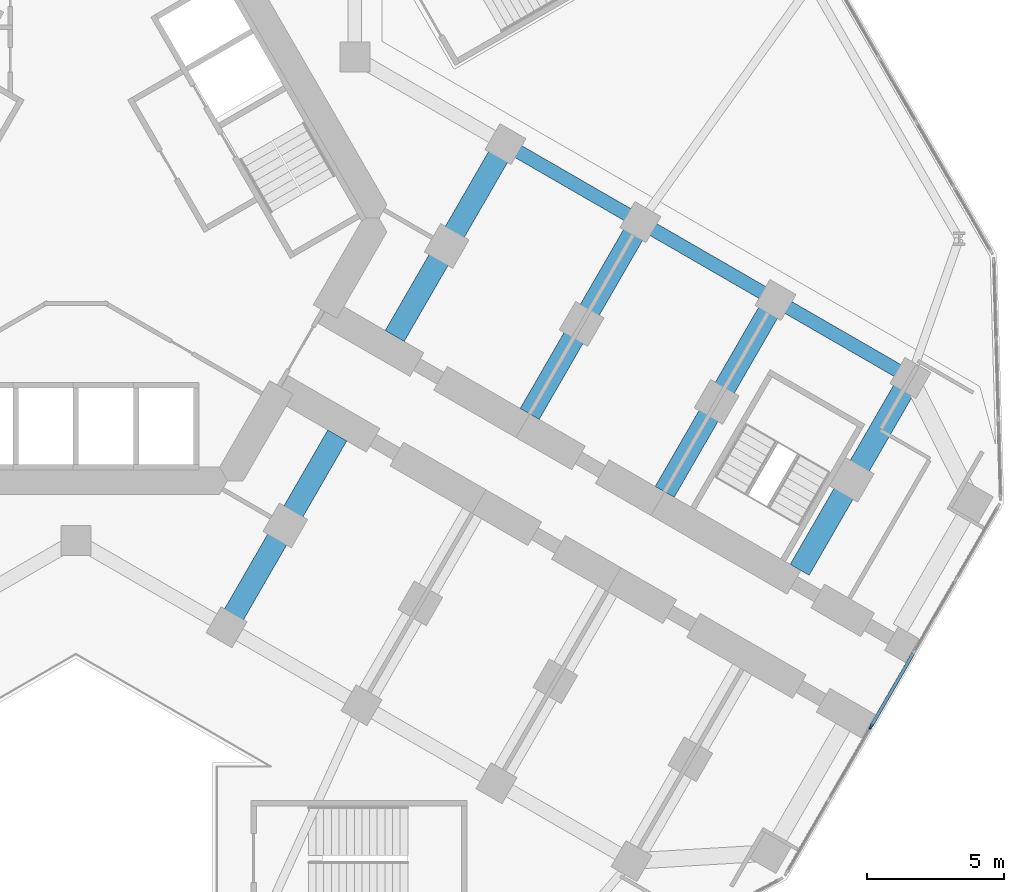
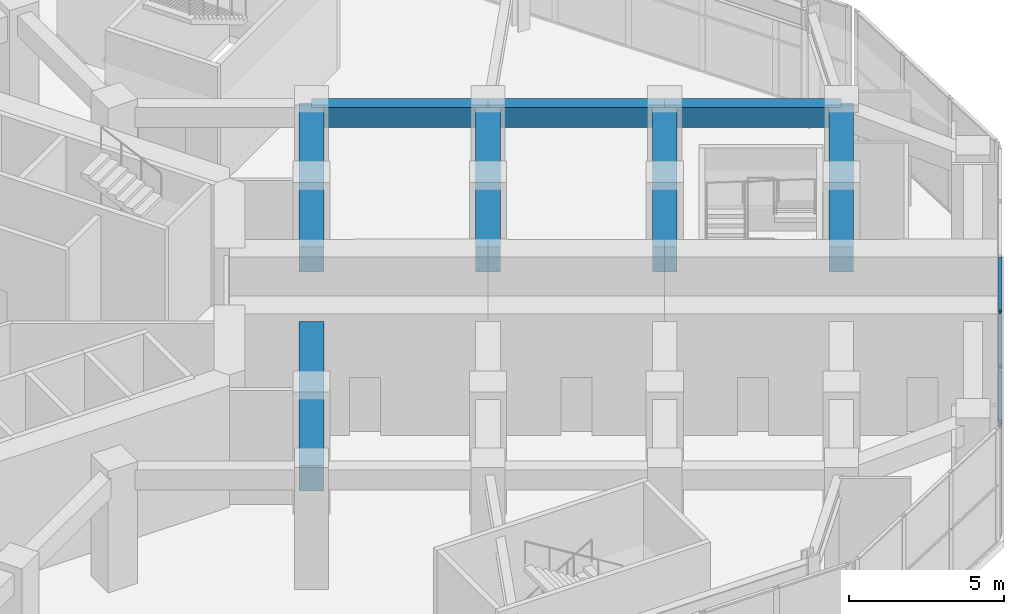
# One storey, part 6 of 21: 8 beams, 4 members, 1 element without a shape of its own.
"""IFC4 building model written with IfcOpenShell, lengths in metres."""

from ifc_helpers import new_model, si_unit, direction, frame, origin, origin_2d, place, context, subcontext, project, spatial, rectangle, extrude, material, material_profile, profile_set, type_object, element, aggregate, save


model = new_model("IFC4")

# Units and contexts
model_context = context("Model", 3, precision=1e-05, world=origin(), true_north=direction((0.0, 1.0)))
body_context = subcontext(model_context, "Body", "Model", "MODEL_VIEW")
ifc_project = project(units=[si_unit("LENGTHUNIT", "METRE"), si_unit("AREAUNIT", "SQUARE_METRE"), si_unit("VOLUMEUNIT", "CUBIC_METRE"), si_unit("PLANEANGLEUNIT", "RADIAN"), si_unit("MASSUNIT", "GRAM", prefix="KILO")], contexts=[model_context])

# Site, building, storey
site_placement = place(None, origin())
site = spatial("IfcSite", under=ifc_project, at=site_placement, CompositionType="ELEMENT")
building_placement = place(site_placement, origin())
building = spatial("IfcBuilding", under=site, at=building_placement, Name="Kosmar Iwan School Tower", CompositionType="ELEMENT")
storey_placement = place(building_placement, frame((0.0, 0.0, 6.0)))
storey = spatial("IfcBuildingStorey", under=building, at=storey_placement, Name="L01", CompositionType="ELEMENT", Elevation=6.0)

# Curtain wall, member
ifc_material_1 = material(Name="Dark glass in black aluminium frame", Category="aluminium")
curtain_wall_type = type_object("IfcCurtainWallType", Name="Tower curtain wall dark glass", PredefinedType="USERDEFINED", material=ifc_material_1)
curtain_wall_placement = place(storey_placement, origin())
curtain_wall = element("IfcCurtainWall", 1, at=curtain_wall_placement, inside=storey, type_object=curtain_wall_type, Name="Curtain wall L01-F02", ObjectType="UNITISED CURTAIN WALL", PredefinedType="USERDEFINED")
ifc_material_2 = material(Name="Black anodised aluminium", Category="aluminium")
ifc_material_profile_1 = material_profile(ifc_material_2, rectangle(XDim=0.06494140625, YDim=0.219970703125, at=origin_2d()), Name="MULLION 65x220")
ifc_profile_set_1 = profile_set([ifc_material_profile_1], Name="Black anodised aluminium")
member_type_1 = type_object("IfcMemberType", Name="Podium mullion 65x220", PredefinedType="MULLION", material=ifc_profile_set_1)
member_1_placement = place(storey_placement, frame((29.079833984375, -18.582275390625, 0.0), z_axis=(0.0, 0.0, 1.0), x_axis=(-0.866025395669, 0.500000014057, 0.0)))
member_1 = element("IfcMember", 2, at=member_1_placement, type_object=member_type_1, Name="CW1 mullion 3", PredefinedType="MULLION", context=body_context, shape_type="SweptSolid", body=[
    extrude(rectangle(XDim=0.06494140625, YDim=0.219970703125, at=origin_2d()), origin(), (0.0, 0.0, 1.0), 4.5),
])

# Beams
ifc_material_3 = material(Name="Concrete C50/60", Category="concrete")
ifc_material_profile_2 = material_profile(ifc_material_3, rectangle(XDim=0.5, YDim=0.800048828125, at=origin_2d()), Name="RC 500x800")
ifc_profile_set_2 = profile_set([ifc_material_profile_2], Name="Concrete C50/60")
beam_type_1 = type_object("IfcBeamType", Name="RC edge beam 500x800", PredefinedType="BEAM", material=ifc_profile_set_2)
beam_1_placement = place(storey_placement, frame((15.708740234375, 2.70849609375, 4.10009765625), z_axis=(0.866025820012, -0.499999279071, 0.0), x_axis=(0.499999279071, 0.866025820012, 0.0)))
element("IfcBeam", 3, at=beam_1_placement, inside=storey, type_object=beam_type_1, Name="Edge beam CL2", PredefinedType="BEAM", context=body_context, shape_type="SweptSolid", body=[
    extrude(rectangle(XDim=0.5, YDim=0.800048828125, at=origin_2d()), origin(), (0.0, 0.0, 1.0), 5.7001953125),
])
for number, where, z_axis, x_axis, name in (
    (4, (20.645263671875, -0.1416015625, 4.10009765625), (0.866033658841, -0.49998570155, 0.0), (0.49998570155, 0.866033658841, 0.0), "Edge beam CL3"),
    (5, (25.58154296875, -2.991455078125, 4.10009765625), (0.866015111908, -0.50001782563, 0.0), (0.50001782563, 0.866015111908, 0.0), "Edge beam CL4"),
):
    element("IfcBeam", number, at=place(storey_placement, frame(where, z_axis=z_axis, x_axis=x_axis)), inside=storey, type_object=beam_type_1, Name=name, PredefinedType="BEAM", context=body_context, shape_type="SweptSolid", body=[
        extrude(rectangle(XDim=0.5, YDim=0.800048828125, at=origin_2d()), origin(), (0.0, 0.0, 1.0), 5.699951171875),
    ])
ifc_material_4 = material(Name="Concrete C50/60", Category="concrete")
ifc_material_profile_3 = material_profile(ifc_material_4, rectangle(XDim=0.800048828125, YDim=1.0, at=origin_2d()), Name="RC 800x1000")
ifc_profile_set_3 = profile_set([ifc_material_profile_3], Name="Concrete C50/60")
beam_type_2 = type_object("IfcBeamType", Name="RC transverse beam 800x1000", PredefinedType="BEAM", material=ifc_profile_set_3)
beam_2_placement = place(storey_placement, frame((15.708740234375, 2.70849609375, 4.0), z_axis=(-0.499999880539, -0.866025472755, 0.0), x_axis=(0.866025472755, -0.499999880539, 0.0)))
element("IfcBeam", 6, at=beam_2_placement, inside=storey, type_object=beam_type_2, Name="Transverse beam CL1", PredefinedType="BEAM", context=body_context, shape_type="SweptSolid", body=[
    extrude(rectangle(XDim=0.800048828125, YDim=1.0, at=origin_2d()), origin(), (0.0, 0.0, 1.0), 8.10009765625),
])
beam_3_placement = place(storey_placement, frame((20.645263671875, -0.1416015625, 4.0), z_axis=(-0.500012932018, -0.866017937352, 0.0), x_axis=(0.866017937352, -0.500012932018, 0.0)))
element("IfcBeam", 7, at=beam_3_placement, inside=storey, type_object=beam_type_2, Name="Transverse beam CL2", PredefinedType="BEAM", context=body_context, shape_type="SweptSolid", body=[
    extrude(rectangle(XDim=0.800048828125, YDim=1.0, at=origin_2d()), origin(), (0.0, 0.0, 1.0), 8.099853515625),
])
for number, where, z_axis, x_axis, name in (
    (8, (25.58154296875, -2.991455078125, 4.0), (-0.499999880539, -0.866025472755, 0.0), (0.866025472755, -0.499999880539, 0.0), "Transverse beam CL3"),
    (9, (30.517822265625, -5.841552734375, 4.0), (-0.499999880539, -0.866025472755, 0.0), (0.866025472755, -0.499999880539, 0.0), "Transverse beam CL4"),
    (10, (5.5087890625, -14.95849609375, 4.0), (0.499999880539, 0.866025472755, 0.0), (-0.866025472755, 0.499999880539, 0.0), "Transverse beam CR1"),
):
    element("IfcBeam", number, at=place(storey_placement, frame(where, z_axis=z_axis, x_axis=x_axis)), inside=storey, type_object=beam_type_2, Name=name, PredefinedType="BEAM", context=body_context, shape_type="SweptSolid", body=[
        extrude(rectangle(XDim=0.800048828125, YDim=1.0, at=origin_2d()), origin(), (0.0, 0.0, 1.0), 8.10009765625),
    ])

# Member
ifc_material_5 = material(Name="Black anodised aluminium", Category="aluminium")
ifc_material_profile_4 = material_profile(ifc_material_5, rectangle(XDim=0.1201171875, YDim=0.06005859375, at=origin_2d()), Name="TRANSOM 60x120")
ifc_profile_set_4 = profile_set([ifc_material_profile_4], Name="Black anodised aluminium")
member_type_2 = type_object("IfcMemberType", Name="Transom 60x120", PredefinedType="USERDEFINED", material=ifc_profile_set_4)
member_2_placement = place(storey_placement, frame((29.095947265625, -18.55419921875, 0.030029296875), z_axis=(0.500042151114, 0.86600106646, 0.0), x_axis=(-0.86600106646, 0.500042151114, 0.0)))
member_2 = element("IfcMember", 11, at=member_2_placement, type_object=member_type_2, Name="CW1 transom 3.1", ObjectType="TRANSOM", PredefinedType="USERDEFINED", context=body_context, shape_type="SweptSolid", body=[
    extrude(rectangle(XDim=0.1201171875, YDim=0.06005859375, at=origin_2d()), origin(), (0.0, 0.0, 1.0), 3.040771484375),
])

member_3_placement = place(storey_placement, frame((29.095947265625, -18.55419921875, 2.25), z_axis=(0.500042151114, 0.86600106646, 0.0), x_axis=(-0.86600106646, 0.500042151114, 0.0)))
member_3 = element("IfcMember", 12, at=member_3_placement, type_object=member_type_2, Name="CW1 transom 3.2", ObjectType="TRANSOM", PredefinedType="USERDEFINED", context=body_context, shape_type="SweptSolid", body=[
    extrude(rectangle(XDim=0.1201171875, YDim=0.06005859375, at=origin_2d()), origin(), (0.0, 0.0, 1.0), 3.040771484375),
])

member_4_placement = place(storey_placement, frame((29.095947265625, -18.55419921875, 4.469970703125), z_axis=(0.500042151114, 0.86600106646, 0.0), x_axis=(-0.86600106646, 0.500042151114, 0.0)))
member_4 = element("IfcMember", 13, at=member_4_placement, type_object=member_type_2, Name="CW1 transom 3.3", ObjectType="TRANSOM", PredefinedType="USERDEFINED", context=body_context, shape_type="SweptSolid", body=[
    extrude(rectangle(XDim=0.1201171875, YDim=0.06005859375, at=origin_2d()), origin(), (0.0, 0.0, 1.0), 3.040771484375),
])

aggregate(curtain_wall, [member_1, member_2, member_3, member_4])

save(model, "model.ifc")
